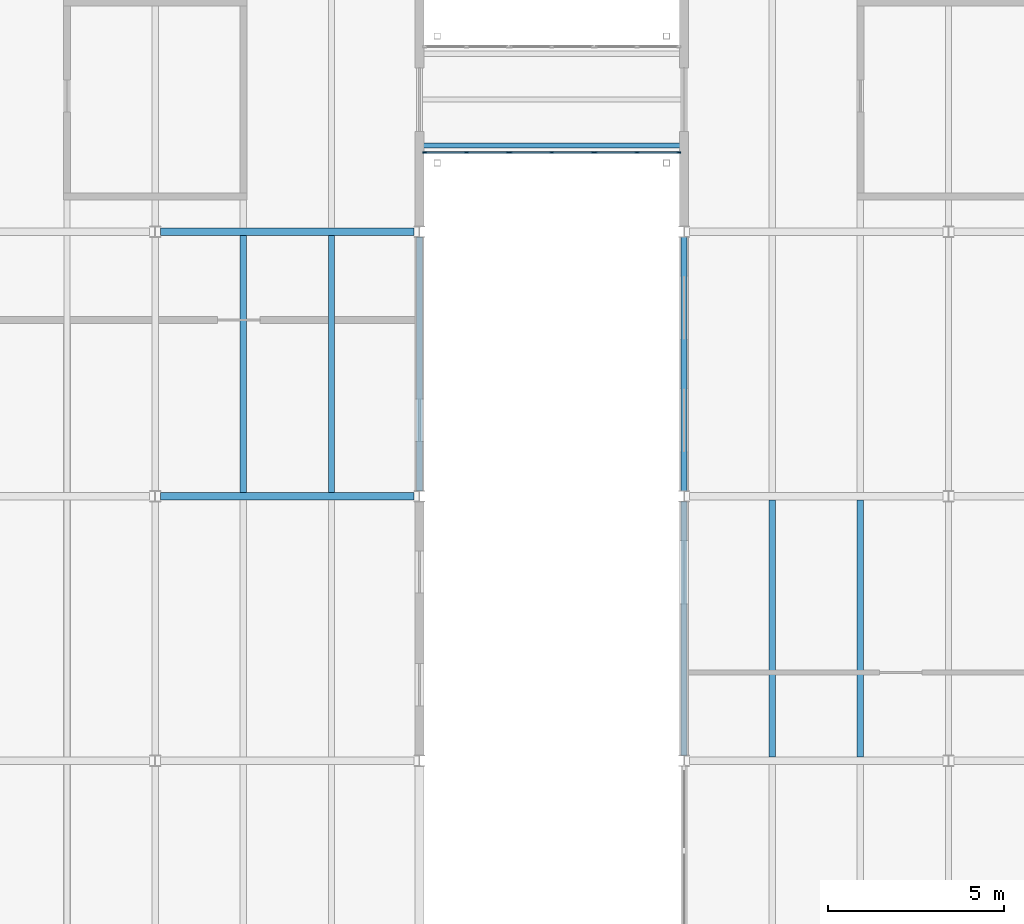
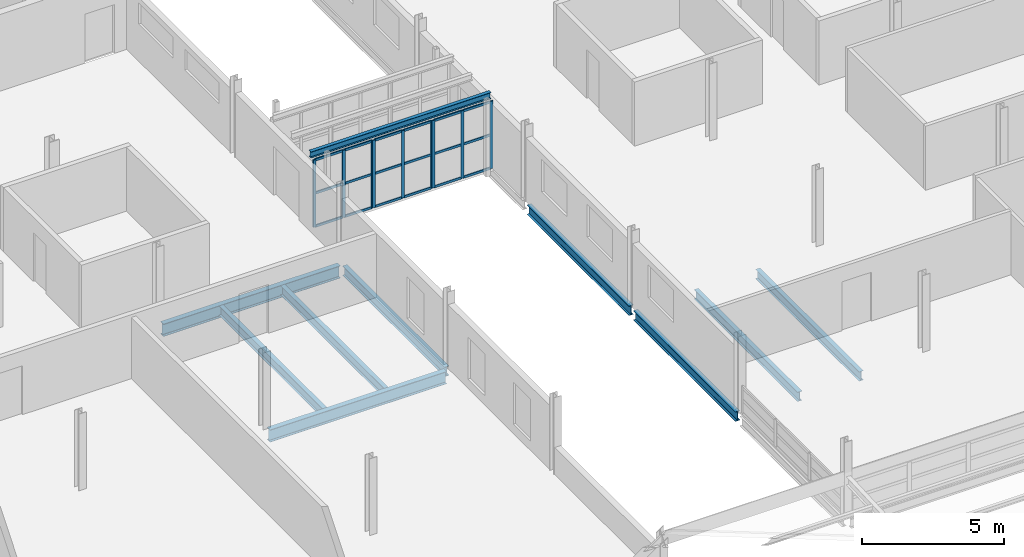
# One storey, part 48 of 214: 27 members, 10 beams, 3 elements without a shape of their own.
"""IFC4 building model written with IfcOpenShell, lengths in metres."""

from ifc_helpers import new_model, si_unit, direction, frame, origin, origin_2d, place, context, subcontext, project, spatial, rectangle, i_section, extrude, material, material_profile, profile_set, type_object, element, aggregate, save


model = new_model("IFC4")

# Units and contexts
model_context = context("Model", 3, precision=1e-05, world=origin(), true_north=direction((0.0, 1.0)))
body_context = subcontext(model_context, "Body", "Model", "MODEL_VIEW")
ifc_project = project(units=[si_unit("LENGTHUNIT", "METRE"), si_unit("AREAUNIT", "SQUARE_METRE"), si_unit("VOLUMEUNIT", "CUBIC_METRE"), si_unit("PLANEANGLEUNIT", "RADIAN"), si_unit("MASSUNIT", "GRAM", prefix="KILO")], contexts=[model_context])

# Site, building, storey
site_placement = place(None, origin())
site = spatial("IfcSite", under=ifc_project, at=site_placement, CompositionType="ELEMENT")
building_placement = place(site_placement, origin())
building = spatial("IfcBuilding", under=site, at=building_placement, Name="Parallax Yard Mobility Hub", CompositionType="ELEMENT")
storey_placement = place(building_placement, frame((0.0, 0.0, 3.300048828125)))
storey = spatial("IfcBuildingStorey", under=building, at=storey_placement, Name="L01", CompositionType="ELEMENT", Elevation=3.300048828125)

# Beam
ifc_material_1 = material(Name="Steel ASTM A992", Category="steel")
ifc_material_profile_1 = material_profile(ifc_material_1, i_section(OverallWidth=0.14794921875, OverallDepth=0.26611328125, WebThickness=0.007568359375, FlangeThickness=0.012939453125, at=origin_2d()), Name="W250x45")
ifc_profile_set_1 = profile_set([ifc_material_profile_1], Name="Steel ASTM A992")
beam_type_1 = type_object("IfcBeamType", Name="Bridge girder W250x45", PredefinedType="BEAM", material=ifc_profile_set_1)
beam_placement = place(storey_placement, frame((142.589599609375, 32.449951171875, 3.02685546875), z_axis=(1.0, 0.0, 0.0), x_axis=(0.0, 1.0, 0.0)))
element("IfcBeam", 1, at=beam_placement, inside=storey, type_object=beam_type_1, Name="Bridge BR3 level L02 girder 1", PredefinedType="BEAM", context=body_context, shape_type="SweptSolid", body=[
    extrude(i_section(OverallWidth=0.14794921875, OverallDepth=0.26611328125, WebThickness=0.007568359375, FlangeThickness=0.012939453125, at=origin_2d()), origin(), (0.0, 0.0, 1.0), 7.32080078125),
])

# Curtain wall, members
ifc_material_2 = material(Name="Thermally broken aluminium curtain wall system", Category="aluminium")
curtain_wall_type = type_object("IfcCurtainWallType", Name="Bridge curtain wall run 50 x 120 frame", PredefinedType="NOTDEFINED", material=ifc_material_2)
curtain_wall_1_placement = place(storey_placement, origin())
curtain_wall_1 = element("IfcCurtainWall", 2, at=curtain_wall_1_placement, inside=storey, type_object=curtain_wall_type, Name="Curtain wall run bridge BR2 south side level L01", PredefinedType="NOTDEFINED")
ifc_material_3 = material(Name="Extruded aluminium", Category="aluminium")
ifc_material_profile_2 = material_profile(ifc_material_3, rectangle(XDim=0.050048828125, YDim=0.1201171875, at=origin_2d()), Name="Mullion 50 x 120")
ifc_profile_set_2 = profile_set([ifc_material_profile_2], Name="Extruded aluminium")
member_type_1 = type_object("IfcMemberType", Name="Mullion 50 x 120", PredefinedType="MULLION", material=ifc_profile_set_2)
member_1_placement = place(storey_placement, frame((142.64990234375, 32.25, 0.0), z_axis=(0.0, 0.0, 1.0), x_axis=(0.0, 1.0, 0.0)))
member_1 = element("IfcMember", 3, at=member_1_placement, type_object=member_type_1, Name="CW2 mullion 1", PredefinedType="MULLION", context=body_context, shape_type="SweptSolid", body=[
    extrude(rectangle(XDim=0.050048828125, YDim=0.1201171875, at=origin_2d()), origin(), (0.0, 0.0, 1.0), 2.89990234375),
])
member_2_placement = place(storey_placement, frame((143.833251953125, 32.25, 0.0), z_axis=(0.0, 0.0, 1.0), x_axis=(0.0, 1.0, 0.0)))
member_2 = element("IfcMember", 4, at=member_2_placement, type_object=member_type_1, Name="CW2 mullion 2", PredefinedType="MULLION", context=body_context, shape_type="SweptSolid", body=[
    extrude(rectangle(XDim=0.050048828125, YDim=0.1201171875, at=origin_2d()), origin(), (0.0, 0.0, 1.0), 2.89990234375),
])
member_3_placement = place(storey_placement, frame((145.0166015625, 32.25, 0.0), z_axis=(0.0, 0.0, 1.0), x_axis=(0.0, 1.0, 0.0)))
member_3 = element("IfcMember", 5, at=member_3_placement, type_object=member_type_1, Name="CW2 mullion 3", PredefinedType="MULLION", context=body_context, shape_type="SweptSolid", body=[
    extrude(rectangle(XDim=0.050048828125, YDim=0.1201171875, at=origin_2d()), origin(), (0.0, 0.0, 1.0), 2.89990234375),
])

curtain_wall_2_placement = place(storey_placement, origin())
curtain_wall_2 = element("IfcCurtainWall", 6, at=curtain_wall_2_placement, inside=storey, type_object=curtain_wall_type, Name="Curtain wall run bridge BR2 south side level L01", PredefinedType="NOTDEFINED")
member_4_placement = place(storey_placement, frame((145.066650390625, 32.25, 0.0), z_axis=(0.0, 0.0, 1.0), x_axis=(0.0, 1.0, 0.0)))
member_4 = element("IfcMember", 7, at=member_4_placement, type_object=member_type_1, Name="CW2 mullion 1", PredefinedType="MULLION", context=body_context, shape_type="SweptSolid", body=[
    extrude(rectangle(XDim=0.050048828125, YDim=0.1201171875, at=origin_2d()), origin(), (0.0, 0.0, 1.0), 2.89990234375),
])
member_5_placement = place(storey_placement, frame((146.25, 32.25, 0.0), z_axis=(0.0, 0.0, 1.0), x_axis=(0.0, 1.0, 0.0)))
member_5 = element("IfcMember", 8, at=member_5_placement, type_object=member_type_1, Name="CW2 mullion 2", PredefinedType="MULLION", context=body_context, shape_type="SweptSolid", body=[
    extrude(rectangle(XDim=0.050048828125, YDim=0.1201171875, at=origin_2d()), origin(), (0.0, 0.0, 1.0), 2.89990234375),
])
member_6_placement = place(storey_placement, frame((147.433349609375, 32.25, 0.0), z_axis=(0.0, 0.0, 1.0), x_axis=(0.0, 1.0, 0.0)))
member_6 = element("IfcMember", 9, at=member_6_placement, type_object=member_type_1, Name="CW2 mullion 3", PredefinedType="MULLION", context=body_context, shape_type="SweptSolid", body=[
    extrude(rectangle(XDim=0.050048828125, YDim=0.1201171875, at=origin_2d()), origin(), (0.0, 0.0, 1.0), 2.89990234375),
])

curtain_wall_3_placement = place(storey_placement, origin())
curtain_wall_3 = element("IfcCurtainWall", 10, at=curtain_wall_3_placement, inside=storey, type_object=curtain_wall_type, Name="Curtain wall run bridge BR2 south side level L01", PredefinedType="NOTDEFINED")
member_7_placement = place(storey_placement, frame((147.4833984375, 32.25, 0.0), z_axis=(0.0, 0.0, 1.0), x_axis=(0.0, 1.0, 0.0)))
member_7 = element("IfcMember", 11, at=member_7_placement, type_object=member_type_1, Name="CW2 mullion 1", PredefinedType="MULLION", context=body_context, shape_type="SweptSolid", body=[
    extrude(rectangle(XDim=0.050048828125, YDim=0.1201171875, at=origin_2d()), origin(), (0.0, 0.0, 1.0), 2.89990234375),
])
member_8_placement = place(storey_placement, frame((148.666748046875, 32.25, 0.0), z_axis=(0.0, 0.0, 1.0), x_axis=(0.0, 1.0, 0.0)))
member_8 = element("IfcMember", 12, at=member_8_placement, type_object=member_type_1, Name="CW2 mullion 2", PredefinedType="MULLION", context=body_context, shape_type="SweptSolid", body=[
    extrude(rectangle(XDim=0.050048828125, YDim=0.1201171875, at=origin_2d()), origin(), (0.0, 0.0, 1.0), 2.89990234375),
])
member_9_placement = place(storey_placement, frame((149.85009765625, 32.25, 0.0), z_axis=(0.0, 0.0, 1.0), x_axis=(0.0, 1.0, 0.0)))
member_9 = element("IfcMember", 13, at=member_9_placement, type_object=member_type_1, Name="CW2 mullion 3", PredefinedType="MULLION", context=body_context, shape_type="SweptSolid", body=[
    extrude(rectangle(XDim=0.050048828125, YDim=0.1201171875, at=origin_2d()), origin(), (0.0, 0.0, 1.0), 2.89990234375),
])

# Member
ifc_material_profile_3 = material_profile(ifc_material_3, rectangle(XDim=0.050048828125, YDim=0.10009765625, at=origin_2d()), Name="Transom 50 x 100")
ifc_profile_set_3 = profile_set([ifc_material_profile_3], Name="Extruded aluminium")
member_type_2 = type_object("IfcMemberType", Name="Transom 50 x 100", PredefinedType="USERDEFINED", material=ifc_profile_set_3)
member_10_placement = place(storey_placement, frame((142.675048828125, 32.25, 0.02490234375), z_axis=(1.0, 0.0, 0.0), x_axis=(0.0, 1.0, 0.0)))
member_10 = element("IfcMember", 14, at=member_10_placement, type_object=member_type_2, Name="CW2 transom 1.1", ObjectType="TRANSOM", PredefinedType="USERDEFINED", context=body_context, shape_type="SweptSolid", body=[
    extrude(rectangle(XDim=0.050048828125, YDim=0.10009765625, at=origin_2d()), origin(), (0.0, 0.0, 1.0), 1.13330078125),
])

member_11_placement = place(storey_placement, frame((142.675048828125, 32.25, 1.449951171875), z_axis=(1.0, 0.0, 0.0), x_axis=(0.0, 1.0, 0.0)))
member_11 = element("IfcMember", 15, at=member_11_placement, type_object=member_type_2, Name="CW2 transom 1.2", ObjectType="TRANSOM", PredefinedType="USERDEFINED", context=body_context, shape_type="SweptSolid", body=[
    extrude(rectangle(XDim=0.050048828125, YDim=0.10009765625, at=origin_2d()), origin(), (0.0, 0.0, 1.0), 1.13330078125),
])

member_12_placement = place(storey_placement, frame((142.675048828125, 32.25, 2.875), z_axis=(1.0, 0.0, 0.0), x_axis=(0.0, 1.0, 0.0)))
member_12 = element("IfcMember", 16, at=member_12_placement, type_object=member_type_2, Name="CW2 transom 1.3", ObjectType="TRANSOM", PredefinedType="USERDEFINED", context=body_context, shape_type="SweptSolid", body=[
    extrude(rectangle(XDim=0.050048828125, YDim=0.10009765625, at=origin_2d()), origin(), (0.0, 0.0, 1.0), 1.13330078125),
])

member_13_placement = place(storey_placement, frame((143.8583984375, 32.25, 0.02490234375), z_axis=(1.0, 0.0, 0.0), x_axis=(0.0, 1.0, 0.0)))
member_13 = element("IfcMember", 17, at=member_13_placement, type_object=member_type_2, Name="CW2 transom 2.1", ObjectType="TRANSOM", PredefinedType="USERDEFINED", context=body_context, shape_type="SweptSolid", body=[
    extrude(rectangle(XDim=0.050048828125, YDim=0.10009765625, at=origin_2d()), origin(), (0.0, 0.0, 1.0), 1.13330078125),
])

member_14_placement = place(storey_placement, frame((143.8583984375, 32.25, 1.449951171875), z_axis=(1.0, 0.0, 0.0), x_axis=(0.0, 1.0, 0.0)))
member_14 = element("IfcMember", 18, at=member_14_placement, type_object=member_type_2, Name="CW2 transom 2.2", ObjectType="TRANSOM", PredefinedType="USERDEFINED", context=body_context, shape_type="SweptSolid", body=[
    extrude(rectangle(XDim=0.050048828125, YDim=0.10009765625, at=origin_2d()), origin(), (0.0, 0.0, 1.0), 1.13330078125),
])

member_15_placement = place(storey_placement, frame((143.8583984375, 32.25, 2.875), z_axis=(1.0, 0.0, 0.0), x_axis=(0.0, 1.0, 0.0)))
member_15 = element("IfcMember", 19, at=member_15_placement, type_object=member_type_2, Name="CW2 transom 2.3", ObjectType="TRANSOM", PredefinedType="USERDEFINED", context=body_context, shape_type="SweptSolid", body=[
    extrude(rectangle(XDim=0.050048828125, YDim=0.10009765625, at=origin_2d()), origin(), (0.0, 0.0, 1.0), 1.13330078125),
])

aggregate(curtain_wall_1, [member_1, member_2, member_3, member_10, member_11, member_12, member_13, member_14, member_15])

member_16_placement = place(storey_placement, frame((145.091796875, 32.25, 0.02490234375), z_axis=(1.0, 0.0, 0.0), x_axis=(0.0, 1.0, 0.0)))
member_16 = element("IfcMember", 20, at=member_16_placement, type_object=member_type_2, Name="CW2 transom 1.1", ObjectType="TRANSOM", PredefinedType="USERDEFINED", context=body_context, shape_type="SweptSolid", body=[
    extrude(rectangle(XDim=0.050048828125, YDim=0.10009765625, at=origin_2d()), origin(), (0.0, 0.0, 1.0), 1.13330078125),
])

member_17_placement = place(storey_placement, frame((145.091796875, 32.25, 1.449951171875), z_axis=(1.0, 0.0, 0.0), x_axis=(0.0, 1.0, 0.0)))
member_17 = element("IfcMember", 21, at=member_17_placement, type_object=member_type_2, Name="CW2 transom 1.2", ObjectType="TRANSOM", PredefinedType="USERDEFINED", context=body_context, shape_type="SweptSolid", body=[
    extrude(rectangle(XDim=0.050048828125, YDim=0.10009765625, at=origin_2d()), origin(), (0.0, 0.0, 1.0), 1.13330078125),
])

member_18_placement = place(storey_placement, frame((145.091796875, 32.25, 2.875), z_axis=(1.0, 0.0, 0.0), x_axis=(0.0, 1.0, 0.0)))
member_18 = element("IfcMember", 22, at=member_18_placement, type_object=member_type_2, Name="CW2 transom 1.3", ObjectType="TRANSOM", PredefinedType="USERDEFINED", context=body_context, shape_type="SweptSolid", body=[
    extrude(rectangle(XDim=0.050048828125, YDim=0.10009765625, at=origin_2d()), origin(), (0.0, 0.0, 1.0), 1.13330078125),
])

member_19_placement = place(storey_placement, frame((146.27490234375, 32.25, 0.02490234375), z_axis=(1.0, 0.0, 0.0), x_axis=(0.0, 1.0, 0.0)))
member_19 = element("IfcMember", 23, at=member_19_placement, type_object=member_type_2, Name="CW2 transom 2.1", ObjectType="TRANSOM", PredefinedType="USERDEFINED", context=body_context, shape_type="SweptSolid", body=[
    extrude(rectangle(XDim=0.050048828125, YDim=0.10009765625, at=origin_2d()), origin(), (0.0, 0.0, 1.0), 1.13330078125),
])

member_20_placement = place(storey_placement, frame((146.27490234375, 32.25, 1.449951171875), z_axis=(1.0, 0.0, 0.0), x_axis=(0.0, 1.0, 0.0)))
member_20 = element("IfcMember", 24, at=member_20_placement, type_object=member_type_2, Name="CW2 transom 2.2", ObjectType="TRANSOM", PredefinedType="USERDEFINED", context=body_context, shape_type="SweptSolid", body=[
    extrude(rectangle(XDim=0.050048828125, YDim=0.10009765625, at=origin_2d()), origin(), (0.0, 0.0, 1.0), 1.13330078125),
])

member_21_placement = place(storey_placement, frame((146.27490234375, 32.25, 2.875), z_axis=(1.0, 0.0, 0.0), x_axis=(0.0, 1.0, 0.0)))
member_21 = element("IfcMember", 25, at=member_21_placement, type_object=member_type_2, Name="CW2 transom 2.3", ObjectType="TRANSOM", PredefinedType="USERDEFINED", context=body_context, shape_type="SweptSolid", body=[
    extrude(rectangle(XDim=0.050048828125, YDim=0.10009765625, at=origin_2d()), origin(), (0.0, 0.0, 1.0), 1.13330078125),
])

aggregate(curtain_wall_2, [member_4, member_5, member_6, member_16, member_17, member_18, member_19, member_20, member_21])

member_22_placement = place(storey_placement, frame((147.50830078125, 32.25, 0.02490234375), z_axis=(1.0, 0.0, 0.0), x_axis=(0.0, 1.0, 0.0)))
member_22 = element("IfcMember", 26, at=member_22_placement, type_object=member_type_2, Name="CW2 transom 1.1", ObjectType="TRANSOM", PredefinedType="USERDEFINED", context=body_context, shape_type="SweptSolid", body=[
    extrude(rectangle(XDim=0.050048828125, YDim=0.10009765625, at=origin_2d()), origin(), (0.0, 0.0, 1.0), 1.13330078125),
])

member_23_placement = place(storey_placement, frame((147.50830078125, 32.25, 1.449951171875), z_axis=(1.0, 0.0, 0.0), x_axis=(0.0, 1.0, 0.0)))
member_23 = element("IfcMember", 27, at=member_23_placement, type_object=member_type_2, Name="CW2 transom 1.2", ObjectType="TRANSOM", PredefinedType="USERDEFINED", context=body_context, shape_type="SweptSolid", body=[
    extrude(rectangle(XDim=0.050048828125, YDim=0.10009765625, at=origin_2d()), origin(), (0.0, 0.0, 1.0), 1.13330078125),
])

member_24_placement = place(storey_placement, frame((147.50830078125, 32.25, 2.875), z_axis=(1.0, 0.0, 0.0), x_axis=(0.0, 1.0, 0.0)))
member_24 = element("IfcMember", 28, at=member_24_placement, type_object=member_type_2, Name="CW2 transom 1.3", ObjectType="TRANSOM", PredefinedType="USERDEFINED", context=body_context, shape_type="SweptSolid", body=[
    extrude(rectangle(XDim=0.050048828125, YDim=0.10009765625, at=origin_2d()), origin(), (0.0, 0.0, 1.0), 1.13330078125),
])

member_25_placement = place(storey_placement, frame((148.691650390625, 32.25, 0.02490234375), z_axis=(1.0, 0.0, 0.0), x_axis=(0.0, 1.0, 0.0)))
member_25 = element("IfcMember", 29, at=member_25_placement, type_object=member_type_2, Name="CW2 transom 2.1", ObjectType="TRANSOM", PredefinedType="USERDEFINED", context=body_context, shape_type="SweptSolid", body=[
    extrude(rectangle(XDim=0.050048828125, YDim=0.10009765625, at=origin_2d()), origin(), (0.0, 0.0, 1.0), 1.13330078125),
])

member_26_placement = place(storey_placement, frame((148.691650390625, 32.25, 1.449951171875), z_axis=(1.0, 0.0, 0.0), x_axis=(0.0, 1.0, 0.0)))
member_26 = element("IfcMember", 30, at=member_26_placement, type_object=member_type_2, Name="CW2 transom 2.2", ObjectType="TRANSOM", PredefinedType="USERDEFINED", context=body_context, shape_type="SweptSolid", body=[
    extrude(rectangle(XDim=0.050048828125, YDim=0.10009765625, at=origin_2d()), origin(), (0.0, 0.0, 1.0), 1.13330078125),
])

member_27_placement = place(storey_placement, frame((148.691650390625, 32.25, 2.875), z_axis=(1.0, 0.0, 0.0), x_axis=(0.0, 1.0, 0.0)))
member_27 = element("IfcMember", 31, at=member_27_placement, type_object=member_type_2, Name="CW2 transom 2.3", ObjectType="TRANSOM", PredefinedType="USERDEFINED", context=body_context, shape_type="SweptSolid", body=[
    extrude(rectangle(XDim=0.050048828125, YDim=0.10009765625, at=origin_2d()), origin(), (0.0, 0.0, 1.0), 1.13330078125),
])

aggregate(curtain_wall_3, [member_7, member_8, member_9, member_22, member_23, member_24, member_25, member_26, member_27])

# Beams
ifc_material_profile_4 = material_profile(ifc_material_1, i_section(OverallWidth=0.177978515625, OverallDepth=0.406005859375, WebThickness=0.0078125, FlangeThickness=0.0126953125, FilletRadius=0.01025390625, at=origin_2d()), Name="W410x60")
ifc_profile_set_4 = profile_set([ifc_material_profile_4], Name="Steel ASTM A992")
beam_type_2 = type_object("IfcBeamType", Name="W410x60 secondary beam", PredefinedType="JOIST", material=ifc_profile_set_4)
for number, where, z_axis, x_axis, name in (
    (32, (152.5, 15.1044921875, -0.343017578125), (0.0, 1.0, 0.0), (-1.0, 0.0, 0.0), "Secondary beam B1 level L01, 2.5 m east of line 21 of bicycle and shared-mobility hall, span 2"),
    (33, (155.0, 15.1044921875, -0.343017578125), (0.0, 1.0, 0.0), (-1.0, 0.0, 0.0), "Secondary beam B1 level L01, 5 m east of line 21 of bicycle and shared-mobility hall, span 2"),
    (34, (137.5, 22.6044921875, -0.343017578125), (0.0, 1.0, 0.0), (-1.0, 0.0, 0.0), "Secondary beam B1 level L01, 2.5 m east of line 19 of mobility service centre and workshops, span 3"),
    (35, (140.0, 22.6044921875, -0.343017578125), (0.0, 1.0, 0.0), (-1.0, 0.0, 0.0), "Secondary beam B1 level L01, 5 m east of line 19 of mobility service centre and workshops, span 3"),
):
    element("IfcBeam", number, at=place(storey_placement, frame(where, z_axis=z_axis, x_axis=x_axis)), inside=storey, type_object=beam_type_2, Name=name, PredefinedType="JOIST", context=body_context, shape_type="SweptSolid", body=[
        extrude(i_section(OverallWidth=0.177978515625, OverallDepth=0.406005859375, WebThickness=0.0078125, FlangeThickness=0.0126953125, FilletRadius=0.01025390625, at=origin_2d()), origin(), (0.0, 0.0, 1.0), 7.291015625),
    ])
ifc_material_profile_5 = material_profile(ifc_material_1, i_section(OverallWidth=0.178955078125, OverallDepth=0.408935546875, WebThickness=0.0087890625, FlangeThickness=0.014404296875, FilletRadius=0.01025390625, at=origin_2d()), Name="W410x67")
ifc_profile_set_5 = profile_set([ifc_material_profile_5], Name="Steel ASTM A992")
beam_type_3 = type_object("IfcBeamType", Name="W410x67 edge beam", PredefinedType="SPANDREL", material=ifc_profile_set_5)
for number, where, z_axis, x_axis, name in (
    (36, (150.0, 15.153564453125, -0.344482421875), (0.0, 1.0, 0.0), (-1.0, 0.0, 0.0), "Edge beam SB3 level L01, line 21 of bicycle and shared-mobility hall, span 2"),
    (37, (150.0, 22.653564453125, -0.344482421875), (0.0, 1.0, 0.0), (-1.0, 0.0, 0.0), "Edge beam SB3 level L01, line 21 of bicycle and shared-mobility hall, span 3"),
    (38, (142.5, 22.653564453125, -0.344482421875), (0.0, 1.0, 0.0), (-1.0, 0.0, 0.0), "Edge beam SB3 level L01, line 20 of mobility service centre and workshops, span 3"),
):
    element("IfcBeam", number, at=place(storey_placement, frame(where, z_axis=z_axis, x_axis=x_axis)), inside=storey, type_object=beam_type_3, Name=name, PredefinedType="SPANDREL", context=body_context, shape_type="SweptSolid", body=[
        extrude(i_section(OverallWidth=0.178955078125, OverallDepth=0.408935546875, WebThickness=0.0087890625, FlangeThickness=0.014404296875, FilletRadius=0.01025390625, at=origin_2d()), origin(), (0.0, 0.0, 1.0), 7.19287109375),
    ])
ifc_material_profile_6 = material_profile(ifc_material_1, i_section(OverallWidth=0.208984375, OverallDepth=0.532958984375, WebThickness=0.01025390625, FlangeThickness=0.015625, FilletRadius=0.0126953125, at=origin_2d()), Name="W530x92")
ifc_profile_set_6 = profile_set([ifc_material_profile_6], Name="Steel ASTM A992")
beam_type_4 = type_object("IfcBeamType", Name="W530x92 longitudinal beam", PredefinedType="BEAM", material=ifc_profile_set_6)
for number, where, z_axis, x_axis, name in (
    (39, (135.153564453125, 22.5, -0.406494140625), (1.0, 0.0, 0.0), (0.0, 1.0, 0.0), "Longitudinal beam SB6 level L01, line D of mobility service centre and workshops, span 6"),
    (40, (135.153564453125, 30.0, -0.406494140625), (1.0, 0.0, 0.0), (0.0, 1.0, 0.0), "Longitudinal beam SB6 level L01, line E of mobility service centre and workshops, span 6"),
):
    element("IfcBeam", number, at=place(storey_placement, frame(where, z_axis=z_axis, x_axis=x_axis)), inside=storey, type_object=beam_type_4, Name=name, PredefinedType="BEAM", context=body_context, shape_type="SweptSolid", body=[
        extrude(i_section(OverallWidth=0.208984375, OverallDepth=0.532958984375, WebThickness=0.01025390625, FlangeThickness=0.015625, FilletRadius=0.0126953125, at=origin_2d()), origin(), (0.0, 0.0, 1.0), 7.19384765625),
    ])

save(model, "model.ifc")
